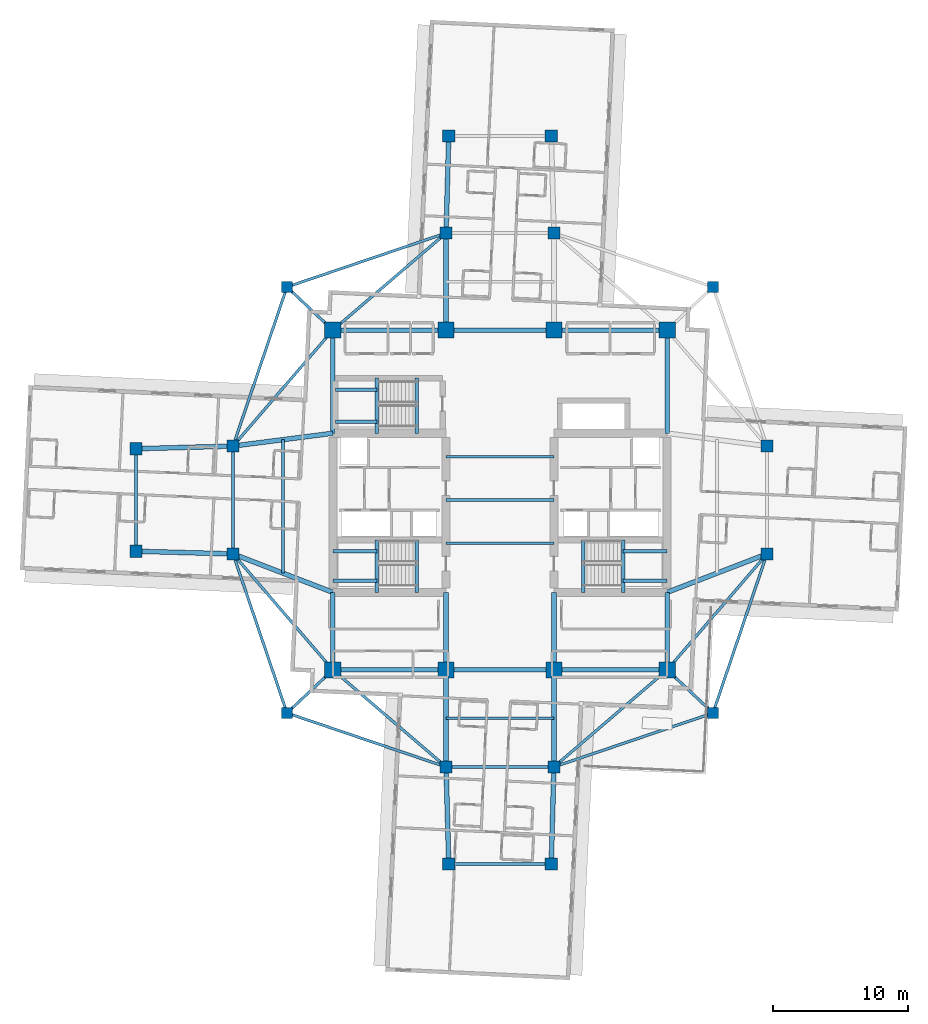
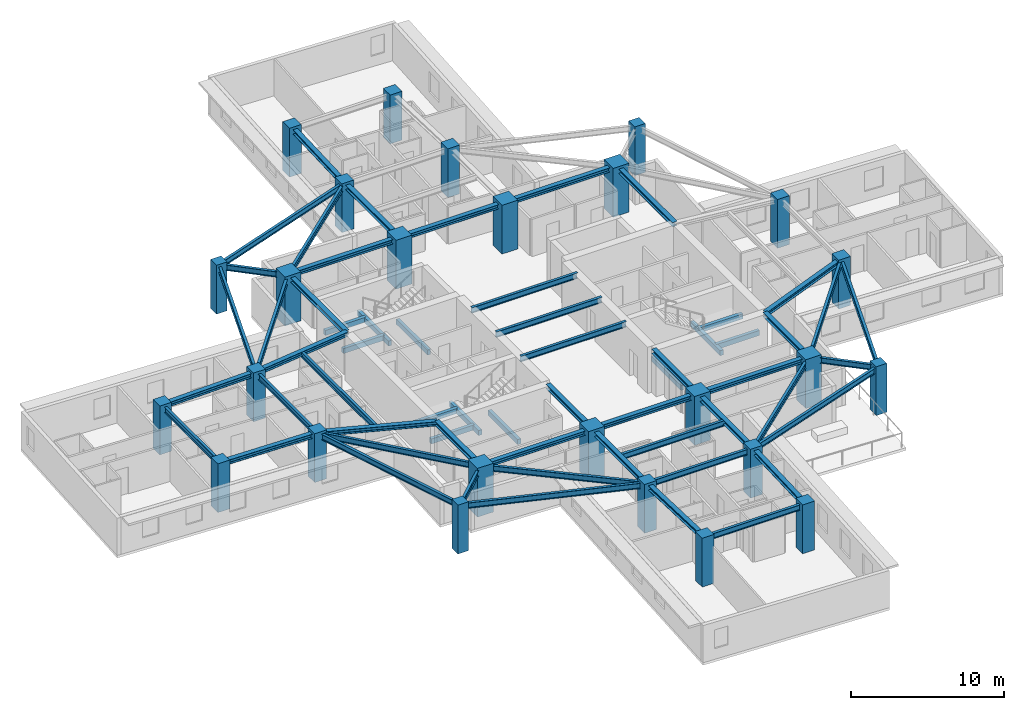
# One storey, part 1 of 14: 59 beams, 26 columns.
"""IFC4 building model written with IfcOpenShell, lengths in metres."""

from ifc_helpers import new_model, si_unit, direction, frame, origin, origin_2d, place, context, subcontext, project, spatial, rectangle, i_section, extrude, material, material_profile, profile_set, type_object, element, save


model = new_model("IFC4")

# Units and contexts
model_context = context("Model", 3, precision=1e-05, world=origin(), true_north=direction((0.0, 1.0)))
body_context = subcontext(model_context, "Body", "Model", "MODEL_VIEW")
ifc_project = project(units=[si_unit("LENGTHUNIT", "METRE"), si_unit("AREAUNIT", "SQUARE_METRE"), si_unit("VOLUMEUNIT", "CUBIC_METRE"), si_unit("PLANEANGLEUNIT", "RADIAN"), si_unit("MASSUNIT", "GRAM", prefix="KILO")], contexts=[model_context])

# Site, building, storey
site_placement = place(None, origin())
site = spatial("IfcSite", under=ifc_project, at=site_placement, CompositionType="ELEMENT")
building_placement = place(site_placement, origin())
building = spatial("IfcBuilding", under=site, at=building_placement, Name="Qingluan Cross Belvedere", CompositionType="ELEMENT")
storey_placement = place(building_placement, frame((0.0, 0.0, 172.199951171875)))
storey = spatial("IfcBuildingStorey", under=building, at=storey_placement, Name="L43", CompositionType="ELEMENT", Elevation=172.199951171875)

# Columns
ifc_material_1 = material(Name="Concrete C60", Category="concrete")
ifc_material_profile_1 = material_profile(ifc_material_1, rectangle(XDim=1.199951171875, YDim=1.199951171875, at=origin_2d()), Name="RC1200x1200")
ifc_profile_set_1 = profile_set([ifc_material_profile_1], Name="Concrete C60")
column_type_1 = type_object("IfcColumnType", Name="Column_RC1200x1200", PredefinedType="COLUMN", material=ifc_profile_set_1)
for number, where, z_axis, x_axis, name in (
    (1, (-12.39990234375, -12.60009765625, 0.0), (0.0, 0.0, 1.0), (1.0, 0.0, 0.0), "Hub column L43-HC1"),
    (2, (12.39990234375, -12.60009765625, 0.0), (0.0, 0.0, 1.0), (1.0, 0.0, 0.0), "Hub column L43-HC2"),
    (3, (12.39990234375, 12.60009765625, 0.0), (0.0, 0.0, 1.0), (1.0, 0.0, 0.0), "Hub column L43-HC3"),
    (4, (-12.39990234375, 12.60009765625, 0.0), (0.0, 0.0, 1.0), (1.0, 0.0, 0.0), "Hub column L43-HC4"),
    (5, (-4.0, -12.60009765625, 0.0), (0.0, 0.0, 1.0), (1.0, 0.0, 0.0), "Hub column L43-HC5"),
    (6, (4.0, -12.60009765625, 0.0), (0.0, 0.0, 1.0), (1.0, 0.0, 0.0), "Hub column L43-HC6"),
    (7, (4.0, 12.60009765625, 0.0), (0.0, 0.0, 1.0), (1.0, 0.0, 0.0), "Hub column L43-HC7"),
    (8, (-4.0, 12.60009765625, 0.0), (0.0, 0.0, 1.0), (1.0, 0.0, 0.0), "Hub column L43-HC8"),
):
    element("IfcColumn", number, at=place(storey_placement, frame(where, z_axis=z_axis, x_axis=x_axis)), inside=storey, type_object=column_type_1, Name=name, PredefinedType="COLUMN", context=body_context, shape_type="SweptSolid", body=[
        extrude(rectangle(XDim=1.199951171875, YDim=1.199951171875, at=origin_2d()), origin(), (0.0, 0.0, 1.0), 3.900146484375),
    ])
ifc_material_2 = material(Name="Concrete C50", Category="concrete")
ifc_material_profile_2 = material_profile(ifc_material_2, rectangle(XDim=0.800048828125, YDim=0.800048828125, at=origin_2d()), Name="RC800x800")
ifc_profile_set_2 = profile_set([ifc_material_profile_2], Name="Concrete C50")
column_type_2 = type_object("IfcColumnType", Name="Column_RC800x800", PredefinedType="COLUMN", material=ifc_profile_set_2)
for number, where, z_axis, x_axis, name in (
    (9, (15.800048828125, 15.800048828125, 0.0), (0.0, 0.0, 1.0), (1.0, 0.0, 0.0), "Corner column L43-RNE"),
    (10, (-15.800048828125, 15.800048828125, 0.0), (0.0, 0.0, 1.0), (1.0, 0.0, 0.0), "Corner column L43-RNW"),
    (11, (-15.800048828125, -15.800048828125, 0.0), (0.0, 0.0, 1.0), (1.0, 0.0, 0.0), "Corner column L43-RSW"),
    (12, (15.800048828125, -15.800048828125, 0.0), (0.0, 0.0, 1.0), (1.0, 0.0, 0.0), "Corner column L43-RSE"),
):
    element("IfcColumn", number, at=place(storey_placement, frame(where, z_axis=z_axis, x_axis=x_axis)), inside=storey, type_object=column_type_2, Name=name, PredefinedType="COLUMN", context=body_context, shape_type="SweptSolid", body=[
        extrude(rectangle(XDim=0.800048828125, YDim=0.800048828125, at=origin_2d()), origin(), (0.0, 0.0, 1.0), 3.900146484375),
    ])
ifc_material_3 = material(Name="Concrete C50", Category="concrete")
ifc_material_profile_3 = material_profile(ifc_material_3, rectangle(XDim=0.89990234375, YDim=0.89990234375, at=origin_2d()), Name="RC900x900")
ifc_profile_set_3 = profile_set([ifc_material_profile_3], Name="Concrete C50")
column_type_3 = type_object("IfcColumnType", Name="Column_RC900x900", PredefinedType="COLUMN", material=ifc_profile_set_3)
for number, where, z_axis, x_axis, name in (
    (13, (19.800048828125, -4.0, 0.0), (0.0, 0.0, 1.0), (1.0, 0.0, 0.0), "Arm column L43-EIA"),
    (14, (19.800048828125, 4.0, 0.0), (0.0, 0.0, 1.0), (1.0, 0.0, 0.0), "Arm column L43-EIB"),
    (15, (-19.800048828125, -4.0, 0.0), (0.0, 0.0, 1.0), (1.0, 0.0, 0.0), "Arm column L43-WIA"),
    (16, (-19.800048828125, 4.0, 0.0), (0.0, 0.0, 1.0), (1.0, 0.0, 0.0), "Arm column L43-WIB"),
    (17, (-4.0, -19.800048828125, 0.0), (0.0, 0.0, 1.0), (1.0, 0.0, 0.0), "Arm column L43-SIA"),
    (18, (4.0, -19.800048828125, 0.0), (0.0, 0.0, 1.0), (1.0, 0.0, 0.0), "Arm column L43-SIB"),
    (19, (-4.0, 19.800048828125, 0.0), (0.0, 0.0, 1.0), (1.0, 0.0, 0.0), "Arm column L43-NIA"),
    (20, (4.0, 19.800048828125, 0.0), (0.0, 0.0, 1.0), (1.0, 0.0, 0.0), "Arm column L43-NIB"),
    (21, (-27.0, -3.800048828125, 0.0), (0.0, 0.0, 1.0), (1.0, 0.0, 0.0), "Arm column L43-WOA"),
    (22, (-27.0, 3.800048828125, 0.0), (0.0, 0.0, 1.0), (1.0, 0.0, 0.0), "Arm column L43-WOB"),
    (23, (-3.800048828125, -27.0, 0.0), (0.0, 0.0, 1.0), (1.0, 0.0, 0.0), "Arm column L43-SOA"),
    (24, (3.800048828125, -27.0, 0.0), (0.0, 0.0, 1.0), (1.0, 0.0, 0.0), "Arm column L43-SOB"),
    (25, (-3.800048828125, 27.0, 0.0), (0.0, 0.0, 1.0), (1.0, 0.0, 0.0), "Arm column L43-NOA"),
    (26, (3.800048828125, 27.0, 0.0), (0.0, 0.0, 1.0), (1.0, 0.0, 0.0), "Arm column L43-NOB"),
):
    element("IfcColumn", number, at=place(storey_placement, frame(where, z_axis=z_axis, x_axis=x_axis)), inside=storey, type_object=column_type_3, Name=name, PredefinedType="COLUMN", context=body_context, shape_type="SweptSolid", body=[
        extrude(rectangle(XDim=0.89990234375, YDim=0.89990234375, at=origin_2d()), origin(), (0.0, 0.0, 1.0), 3.900146484375),
    ])

# Beams
ifc_material_4 = material(Name="Concrete C45", Category="concrete")
ifc_material_profile_4 = material_profile(ifc_material_4, rectangle(XDim=0.25, YDim=0.39990234375, at=origin_2d()), Name="RC250x400")
ifc_profile_set_4 = profile_set([ifc_material_profile_4], Name="Concrete C45")
beam_type_1 = type_object("IfcBeamType", Name="RC_Lintel_RC250x400", PredefinedType="LINTEL", material=ifc_profile_set_4)
for number, where, z_axis, x_axis, name in (
    (27, (-6.179931640625, -6.85009765625, -0.199951171875), (0.0, 1.0, 0.0), (-1.0, 0.0, 0.0), "Stair ST1 landing beam L43"),
    (28, (6.179931640625, -6.85009765625, -0.199951171875), (0.0, 1.0, 0.0), (-1.0, 0.0, 0.0), "Stair ST2 landing beam L43"),
):
    element("IfcBeam", number, at=place(storey_placement, frame(where, z_axis=z_axis, x_axis=x_axis)), inside=storey, type_object=beam_type_1, Name=name, PredefinedType="LINTEL", context=body_context, shape_type="SweptSolid", body=[
        extrude(rectangle(XDim=0.25, YDim=0.39990234375, at=origin_2d()), origin(), (0.0, 0.0, 1.0), 3.89013671875),
    ])
beam_1_placement = place(storey_placement, frame((-6.179931640625, 4.949951171875, -0.199951171875), z_axis=(0.0, 1.0, 0.0), x_axis=(-1.0, 0.0, 0.0)))
element("IfcBeam", 29, at=beam_1_placement, inside=storey, type_object=beam_type_1, Name="Stair ST3 landing beam L43", PredefinedType="LINTEL", context=body_context, shape_type="SweptSolid", body=[
    extrude(rectangle(XDim=0.25, YDim=0.39990234375, at=origin_2d()), origin(), (0.0, 0.0, 1.0), 4.090087890625),
])
beam_2_placement = place(storey_placement, frame((-9.1298828125, -6.85009765625, 1.550048828125), z_axis=(0.0, 1.0, 0.0), x_axis=(-1.0, 0.0, 0.0)))
element("IfcBeam", 30, at=beam_2_placement, inside=storey, type_object=beam_type_1, Name="Stair ST1 beam A L43", PredefinedType="LINTEL", context=body_context, shape_type="SweptSolid", body=[
    extrude(rectangle(XDim=0.25, YDim=0.39990234375, at=origin_2d()), origin(), (0.0, 0.0, 1.0), 3.89013671875),
])
for number, where, z_axis, x_axis, name in (
    (31, (-12.39990234375, -6.0, 1.550048828125), (1.0, 0.0, 0.0), (0.0, 1.0, 0.0), "Stair ST1 beam B L43"),
    (32, (-12.39990234375, -3.81005859375, 1.550048828125), (1.0, 0.0, 0.0), (0.0, 1.0, 0.0), "Stair ST1 beam C L43"),
):
    element("IfcBeam", number, at=place(storey_placement, frame(where, z_axis=z_axis, x_axis=x_axis)), inside=storey, type_object=beam_type_1, Name=name, PredefinedType="LINTEL", context=body_context, shape_type="SweptSolid", body=[
        extrude(rectangle(XDim=0.25, YDim=0.39990234375, at=origin_2d()), origin(), (0.0, 0.0, 1.0), 3.27001953125),
    ])
beam_3_placement = place(storey_placement, frame((9.1298828125, -6.85009765625, 1.550048828125), z_axis=(0.0, 1.0, 0.0), x_axis=(-1.0, 0.0, 0.0)))
element("IfcBeam", 33, at=beam_3_placement, inside=storey, type_object=beam_type_1, Name="Stair ST2 beam A L43", PredefinedType="LINTEL", context=body_context, shape_type="SweptSolid", body=[
    extrude(rectangle(XDim=0.25, YDim=0.39990234375, at=origin_2d()), origin(), (0.0, 0.0, 1.0), 3.89013671875),
])
for number, where, z_axis, x_axis, name in (
    (34, (12.39990234375, -6.0, 1.550048828125), (-1.0, 0.0, 0.0), (0.0, -1.0, 0.0), "Stair ST2 beam B L43"),
    (35, (12.39990234375, -3.81005859375, 1.550048828125), (-1.0, 0.0, 0.0), (0.0, -1.0, 0.0), "Stair ST2 beam C L43"),
):
    element("IfcBeam", number, at=place(storey_placement, frame(where, z_axis=z_axis, x_axis=x_axis)), inside=storey, type_object=beam_type_1, Name=name, PredefinedType="LINTEL", context=body_context, shape_type="SweptSolid", body=[
        extrude(rectangle(XDim=0.25, YDim=0.39990234375, at=origin_2d()), origin(), (0.0, 0.0, 1.0), 3.27001953125),
    ])
beam_4_placement = place(storey_placement, frame((-9.1298828125, 4.949951171875, 1.550048828125), z_axis=(0.0, 1.0, 0.0), x_axis=(-1.0, 0.0, 0.0)))
element("IfcBeam", 36, at=beam_4_placement, inside=storey, type_object=beam_type_1, Name="Stair ST3 beam A L43", PredefinedType="LINTEL", context=body_context, shape_type="SweptSolid", body=[
    extrude(rectangle(XDim=0.25, YDim=0.39990234375, at=origin_2d()), origin(), (0.0, 0.0, 1.0), 4.090087890625),
])
for number, where, z_axis, x_axis, name in (
    (37, (-12.219970703125, 5.800048828125, 1.550048828125), (1.0, 0.0, 0.0), (0.0, 1.0, 0.0), "Stair ST3 beam B L43"),
    (38, (-12.219970703125, 8.18994140625, 1.550048828125), (1.0, 0.0, 0.0), (0.0, 1.0, 0.0), "Stair ST3 beam C L43"),
):
    element("IfcBeam", number, at=place(storey_placement, frame(where, z_axis=z_axis, x_axis=x_axis)), inside=storey, type_object=beam_type_1, Name=name, PredefinedType="LINTEL", context=body_context, shape_type="SweptSolid", body=[
        extrude(rectangle(XDim=0.25, YDim=0.39990234375, at=origin_2d()), origin(), (0.0, 0.0, 1.0), 3.090087890625),
    ])
ifc_material_5 = material(Name="Steel Q420GJB", Category="steel")
ifc_material_profile_5 = material_profile(ifc_material_5, i_section(OverallWidth=0.199951171875, OverallDepth=0.449951171875, WebThickness=0.009033203125, FlangeThickness=0.013916015625, FilletRadius=0.01611328125, at=origin_2d()), Name="HN450x200x9x14")
ifc_profile_set_5 = profile_set([ifc_material_profile_5], Name="Steel Q420GJB")
beam_type_2 = type_object("IfcBeamType", Name="Steel_Beam_HN450x200x9x14", PredefinedType="JOIST", material=ifc_profile_set_5)
beam_5_placement = place(storey_placement, frame((-12.39990234375, 12.60009765625, 3.47509765625), z_axis=(-0.728219948308, 0.685343495546, 0.0), x_axis=(-0.685343495546, -0.728219948308, 0.0)))
element("IfcBeam", 39, at=beam_5_placement, inside=storey, type_object=beam_type_2, Name="Corner beam 1 L43-RNW", PredefinedType="JOIST", context=body_context, shape_type="SweptSolid", body=[
    extrude(i_section(OverallWidth=0.199951171875, OverallDepth=0.449951171875, WebThickness=0.009033203125, FlangeThickness=0.013916015625, FilletRadius=0.01611328125, at=origin_2d()), origin(), (0.0, 0.0, 1.0), 4.669189453125),
])
for number, where, z_axis, x_axis, name in (
    (40, (-15.800048828125, 15.800048828125, 3.47509765625), (0.947066283324, 0.321038089628, 0.0), (-0.321038089628, 0.947066283324, 0.0), "Corner beam 2 L43-RNW"),
    (41, (-15.800048828125, 15.800048828125, 3.47509765625), (-0.321038089628, -0.947066283324, 0.0), (0.947066283324, -0.321038089628, 0.0), "Corner beam 3 L43-RNW"),
):
    element("IfcBeam", number, at=place(storey_placement, frame(where, z_axis=z_axis, x_axis=x_axis)), inside=storey, type_object=beam_type_2, Name=name, PredefinedType="JOIST", context=body_context, shape_type="SweptSolid", body=[
        extrude(i_section(OverallWidth=0.199951171875, OverallDepth=0.449951171875, WebThickness=0.009033203125, FlangeThickness=0.013916015625, FilletRadius=0.01611328125, at=origin_2d()), origin(), (0.0, 0.0, 1.0), 12.45947265625),
    ])
beam_6_placement = place(storey_placement, frame((-12.39990234375, 12.60009765625, 3.47509765625), z_axis=(-0.652245077546, -0.75800815221, 0.0), x_axis=(0.75800815221, -0.652245077546, 0.0)))
element("IfcBeam", 42, at=beam_6_placement, inside=storey, type_object=beam_type_2, Name="Corner beam 4 L43-RNW", PredefinedType="JOIST", context=body_context, shape_type="SweptSolid", body=[
    extrude(i_section(OverallWidth=0.199951171875, OverallDepth=0.449951171875, WebThickness=0.009033203125, FlangeThickness=0.013916015625, FilletRadius=0.01611328125, at=origin_2d()), origin(), (0.0, 0.0, 1.0), 11.345703125),
])
beam_7_placement = place(storey_placement, frame((-12.39990234375, 12.60009765625, 3.47509765625), z_axis=(0.759255044656, 0.650793190779, 0.0), x_axis=(-0.650793190779, 0.759255044656, 0.0)))
element("IfcBeam", 43, at=beam_7_placement, inside=storey, type_object=beam_type_2, Name="Corner beam 5 L43-RNW", PredefinedType="JOIST", context=body_context, shape_type="SweptSolid", body=[
    extrude(i_section(OverallWidth=0.199951171875, OverallDepth=0.449951171875, WebThickness=0.009033203125, FlangeThickness=0.013916015625, FilletRadius=0.01611328125, at=origin_2d()), origin(), (0.0, 0.0, 1.0), 11.063232421875),
])
beam_8_placement = place(storey_placement, frame((-12.39990234375, -12.60009765625, 3.47509765625), z_axis=(-0.728219948308, -0.685343495546, 0.0), x_axis=(0.685343495546, -0.728219948308, 0.0)))
element("IfcBeam", 44, at=beam_8_placement, inside=storey, type_object=beam_type_2, Name="Corner beam 1 L43-RSW", PredefinedType="JOIST", context=body_context, shape_type="SweptSolid", body=[
    extrude(i_section(OverallWidth=0.199951171875, OverallDepth=0.449951171875, WebThickness=0.009033203125, FlangeThickness=0.013916015625, FilletRadius=0.01611328125, at=origin_2d()), origin(), (0.0, 0.0, 1.0), 4.669189453125),
])
for number, where, z_axis, x_axis, name in (
    (45, (-15.800048828125, -15.800048828125, 3.47509765625), (0.947066283324, -0.321038089628, 0.0), (0.321038089628, 0.947066283324, 0.0), "Corner beam 2 L43-RSW"),
    (46, (-15.800048828125, -15.800048828125, 3.47509765625), (-0.321038089628, 0.947066283324, 0.0), (-0.947066283324, -0.321038089628, 0.0), "Corner beam 3 L43-RSW"),
):
    element("IfcBeam", number, at=place(storey_placement, frame(where, z_axis=z_axis, x_axis=x_axis)), inside=storey, type_object=beam_type_2, Name=name, PredefinedType="JOIST", context=body_context, shape_type="SweptSolid", body=[
        extrude(i_section(OverallWidth=0.199951171875, OverallDepth=0.449951171875, WebThickness=0.009033203125, FlangeThickness=0.013916015625, FilletRadius=0.01611328125, at=origin_2d()), origin(), (0.0, 0.0, 1.0), 12.45947265625),
    ])
beam_9_placement = place(storey_placement, frame((-12.39990234375, -12.60009765625, 3.47509765625), z_axis=(-0.652245077546, 0.75800815221, 0.0), x_axis=(-0.75800815221, -0.652245077546, 0.0)))
element("IfcBeam", 47, at=beam_9_placement, inside=storey, type_object=beam_type_2, Name="Corner beam 4 L43-RSW", PredefinedType="JOIST", context=body_context, shape_type="SweptSolid", body=[
    extrude(i_section(OverallWidth=0.199951171875, OverallDepth=0.449951171875, WebThickness=0.009033203125, FlangeThickness=0.013916015625, FilletRadius=0.01611328125, at=origin_2d()), origin(), (0.0, 0.0, 1.0), 11.345703125),
])
beam_10_placement = place(storey_placement, frame((-12.39990234375, -12.60009765625, 3.47509765625), z_axis=(0.759255044656, -0.650793190779, 0.0), x_axis=(0.650793190779, 0.759255044656, 0.0)))
element("IfcBeam", 48, at=beam_10_placement, inside=storey, type_object=beam_type_2, Name="Corner beam 5 L43-RSW", PredefinedType="JOIST", context=body_context, shape_type="SweptSolid", body=[
    extrude(i_section(OverallWidth=0.199951171875, OverallDepth=0.449951171875, WebThickness=0.009033203125, FlangeThickness=0.013916015625, FilletRadius=0.01611328125, at=origin_2d()), origin(), (0.0, 0.0, 1.0), 11.063232421875),
])
beam_11_placement = place(storey_placement, frame((12.39990234375, -12.60009765625, 3.455078125), z_axis=(0.728219948308, -0.685343495546, 0.0), x_axis=(0.685343495546, 0.728219948308, 0.0)))
element("IfcBeam", 49, at=beam_11_placement, inside=storey, type_object=beam_type_2, Name="Corner beam 1 L43-RSE", PredefinedType="JOIST", context=body_context, shape_type="SweptSolid", body=[
    extrude(i_section(OverallWidth=0.199951171875, OverallDepth=0.449951171875, WebThickness=0.009033203125, FlangeThickness=0.013916015625, FilletRadius=0.01611328125, at=origin_2d()), origin(), (0.0, 0.0, 1.0), 4.669189453125),
])
for number, where, z_axis, x_axis, name in (
    (50, (15.800048828125, -15.800048828125, 3.455078125), (-0.947066283324, -0.321038089628, 0.0), (0.321038089628, -0.947066283324, 0.0), "Corner beam 2 L43-RSE"),
    (51, (15.800048828125, -15.800048828125, 3.455078125), (0.321038089628, 0.947066283324, 0.0), (-0.947066283324, 0.321038089628, 0.0), "Corner beam 3 L43-RSE"),
):
    element("IfcBeam", number, at=place(storey_placement, frame(where, z_axis=z_axis, x_axis=x_axis)), inside=storey, type_object=beam_type_2, Name=name, PredefinedType="JOIST", context=body_context, shape_type="SweptSolid", body=[
        extrude(i_section(OverallWidth=0.199951171875, OverallDepth=0.449951171875, WebThickness=0.009033203125, FlangeThickness=0.013916015625, FilletRadius=0.01611328125, at=origin_2d()), origin(), (0.0, 0.0, 1.0), 12.45947265625),
    ])
beam_12_placement = place(storey_placement, frame((12.39990234375, -12.60009765625, 3.455078125), z_axis=(0.652245077546, 0.75800815221, 0.0), x_axis=(-0.75800815221, 0.652245077546, 0.0)))
element("IfcBeam", 52, at=beam_12_placement, inside=storey, type_object=beam_type_2, Name="Corner beam 4 L43-RSE", PredefinedType="JOIST", context=body_context, shape_type="SweptSolid", body=[
    extrude(i_section(OverallWidth=0.199951171875, OverallDepth=0.449951171875, WebThickness=0.009033203125, FlangeThickness=0.013916015625, FilletRadius=0.01611328125, at=origin_2d()), origin(), (0.0, 0.0, 1.0), 11.345703125),
])
beam_13_placement = place(storey_placement, frame((12.39990234375, -12.60009765625, 3.455078125), z_axis=(-0.759255044656, -0.650793190779, 0.0), x_axis=(0.650793190779, -0.759255044656, 0.0)))
element("IfcBeam", 53, at=beam_13_placement, inside=storey, type_object=beam_type_2, Name="Corner beam 5 L43-RSE", PredefinedType="JOIST", context=body_context, shape_type="SweptSolid", body=[
    extrude(i_section(OverallWidth=0.199951171875, OverallDepth=0.449951171875, WebThickness=0.009033203125, FlangeThickness=0.013916015625, FilletRadius=0.01611328125, at=origin_2d()), origin(), (0.0, 0.0, 1.0), 11.063232421875),
])
for number, where, z_axis, x_axis, name in (
    (54, (-4.0, -3.199951171875, 3.47509765625), (1.0, 0.0, 0.0), (0.0, 1.0, 0.0), "Hall beam L43-CH1"),
    (55, (-4.0, 0.0, 3.47509765625), (1.0, 0.0, 0.0), (0.0, 1.0, 0.0), "Hall beam L43-CH2"),
    (56, (-4.0, 3.199951171875, 3.47509765625), (1.0, 0.0, 0.0), (0.0, 1.0, 0.0), "Hall beam L43-CH3"),
    (57, (-19.800048828125, -4.0, 3.47509765625), (0.0, 1.0, 0.0), (-1.0, 0.0, 0.0), "Arm W tie L43"),
):
    element("IfcBeam", number, at=place(storey_placement, frame(where, z_axis=z_axis, x_axis=x_axis)), inside=storey, type_object=beam_type_2, Name=name, PredefinedType="JOIST", context=body_context, shape_type="SweptSolid", body=[
        extrude(i_section(OverallWidth=0.199951171875, OverallDepth=0.449951171875, WebThickness=0.009033203125, FlangeThickness=0.013916015625, FilletRadius=0.01611328125, at=origin_2d()), origin(), (0.0, 0.0, 1.0), 8.0),
    ])
beam_14_placement = place(storey_placement, frame((-16.10009765625, -5.425048828125, 3.47509765625), z_axis=(0.0, 1.0, 0.0), x_axis=(-1.0, 0.0, 0.0)))
element("IfcBeam", 58, at=beam_14_placement, inside=storey, type_object=beam_type_2, Name="Arm W beam L43", PredefinedType="JOIST", context=body_context, shape_type="SweptSolid", body=[
    extrude(i_section(OverallWidth=0.199951171875, OverallDepth=0.449951171875, WebThickness=0.009033203125, FlangeThickness=0.013916015625, FilletRadius=0.01611328125, at=origin_2d()), origin(), (0.0, 0.0, 1.0), 9.900146484375),
])
beam_15_placement = place(storey_placement, frame((-27.0, -3.800048828125, 3.47509765625), z_axis=(0.0, 1.0, 0.0), x_axis=(-1.0, 0.0, 0.0)))
element("IfcBeam", 59, at=beam_15_placement, inside=storey, type_object=beam_type_2, Name="Arm W tip transverse beam L43", PredefinedType="JOIST", context=body_context, shape_type="SweptSolid", body=[
    extrude(i_section(OverallWidth=0.199951171875, OverallDepth=0.449951171875, WebThickness=0.009033203125, FlangeThickness=0.013916015625, FilletRadius=0.01611328125, at=origin_2d()), origin(), (0.0, 0.0, 1.0), 7.60009765625),
])
for number, where, z_axis, x_axis, name in (
    (60, (-4.0, -19.800048828125, 3.47509765625), (1.0, 0.0, 0.0), (0.0, 1.0, 0.0), "Arm S tie L43"),
    (61, (-4.0, -16.199951171875, 3.47509765625), (1.0, 0.0, 0.0), (0.0, 1.0, 0.0), "Arm S beam L43"),
):
    element("IfcBeam", number, at=place(storey_placement, frame(where, z_axis=z_axis, x_axis=x_axis)), inside=storey, type_object=beam_type_2, Name=name, PredefinedType="JOIST", context=body_context, shape_type="SweptSolid", body=[
        extrude(i_section(OverallWidth=0.199951171875, OverallDepth=0.449951171875, WebThickness=0.009033203125, FlangeThickness=0.013916015625, FilletRadius=0.01611328125, at=origin_2d()), origin(), (0.0, 0.0, 1.0), 8.0),
    ])
beam_16_placement = place(storey_placement, frame((-3.800048828125, -27.0, 3.47509765625), z_axis=(1.0, 0.0, 0.0), x_axis=(0.0, 1.0, 0.0)))
element("IfcBeam", 62, at=beam_16_placement, inside=storey, type_object=beam_type_2, Name="Arm S tip transverse beam L43", PredefinedType="JOIST", context=body_context, shape_type="SweptSolid", body=[
    extrude(i_section(OverallWidth=0.199951171875, OverallDepth=0.449951171875, WebThickness=0.009033203125, FlangeThickness=0.013916015625, FilletRadius=0.01611328125, at=origin_2d()), origin(), (0.0, 0.0, 1.0), 7.60009765625),
])
ifc_material_6 = material(Name="Steel Q420GJB", Category="steel")
ifc_material_profile_6 = material_profile(ifc_material_6, i_section(OverallWidth=0.35009765625, OverallDepth=0.35009765625, WebThickness=0.011962890625, FlangeThickness=0.01904296875, FilletRadius=0.02001953125, at=origin_2d()), Name="HW350x350x12x19")
ifc_profile_set_6 = profile_set([ifc_material_profile_6], Name="Steel Q420GJB")
beam_type_3 = type_object("IfcBeamType", Name="Steel_Girder_HW350x350x12x19", PredefinedType="USERDEFINED", material=ifc_profile_set_6)
beam_17_placement = place(storey_placement, frame((-12.39990234375, -12.60009765625, 3.525146484375), z_axis=(1.0, 0.0, 0.0), x_axis=(0.0, 1.0, 0.0)))
element("IfcBeam", 63, at=beam_17_placement, inside=storey, type_object=beam_type_3, Name="Hub girder L43-HG-S1", ObjectType="GIRDER", PredefinedType="USERDEFINED", context=body_context, shape_type="SweptSolid", body=[
    extrude(i_section(OverallWidth=0.35009765625, OverallDepth=0.35009765625, WebThickness=0.011962890625, FlangeThickness=0.01904296875, FilletRadius=0.02001953125, at=origin_2d()), origin(), (0.0, 0.0, 1.0), 8.39990234375),
])
beam_18_placement = place(storey_placement, frame((-4.0, -12.60009765625, 3.525146484375), z_axis=(1.0, 0.0, 0.0), x_axis=(0.0, 1.0, 0.0)))
element("IfcBeam", 64, at=beam_18_placement, inside=storey, type_object=beam_type_3, Name="Hub girder L43-HG-S2", ObjectType="GIRDER", PredefinedType="USERDEFINED", context=body_context, shape_type="SweptSolid", body=[
    extrude(i_section(OverallWidth=0.35009765625, OverallDepth=0.35009765625, WebThickness=0.011962890625, FlangeThickness=0.01904296875, FilletRadius=0.02001953125, at=origin_2d()), origin(), (0.0, 0.0, 1.0), 8.0),
])
for number, where, z_axis, x_axis, name in (
    (65, (4.0, -12.60009765625, 3.525146484375), (1.0, 0.0, 0.0), (0.0, 1.0, 0.0), "Hub girder L43-HG-S3"),
    (66, (-12.39990234375, 12.60009765625, 3.525146484375), (1.0, 0.0, 0.0), (0.0, 1.0, 0.0), "Hub girder L43-HG-N1"),
):
    element("IfcBeam", number, at=place(storey_placement, frame(where, z_axis=z_axis, x_axis=x_axis)), inside=storey, type_object=beam_type_3, Name=name, ObjectType="GIRDER", PredefinedType="USERDEFINED", context=body_context, shape_type="SweptSolid", body=[
        extrude(i_section(OverallWidth=0.35009765625, OverallDepth=0.35009765625, WebThickness=0.011962890625, FlangeThickness=0.01904296875, FilletRadius=0.02001953125, at=origin_2d()), origin(), (0.0, 0.0, 1.0), 8.39990234375),
    ])
beam_19_placement = place(storey_placement, frame((-4.0, 12.60009765625, 3.525146484375), z_axis=(1.0, 0.0, 0.0), x_axis=(0.0, 1.0, 0.0)))
element("IfcBeam", 67, at=beam_19_placement, inside=storey, type_object=beam_type_3, Name="Hub girder L43-HG-N2", ObjectType="GIRDER", PredefinedType="USERDEFINED", context=body_context, shape_type="SweptSolid", body=[
    extrude(i_section(OverallWidth=0.35009765625, OverallDepth=0.35009765625, WebThickness=0.011962890625, FlangeThickness=0.01904296875, FilletRadius=0.02001953125, at=origin_2d()), origin(), (0.0, 0.0, 1.0), 8.0),
])
beam_20_placement = place(storey_placement, frame((4.0, 12.60009765625, 3.525146484375), z_axis=(1.0, 0.0, 0.0), x_axis=(0.0, 1.0, 0.0)))
element("IfcBeam", 68, at=beam_20_placement, inside=storey, type_object=beam_type_3, Name="Hub girder L43-HG-N3", ObjectType="GIRDER", PredefinedType="USERDEFINED", context=body_context, shape_type="SweptSolid", body=[
    extrude(i_section(OverallWidth=0.35009765625, OverallDepth=0.35009765625, WebThickness=0.011962890625, FlangeThickness=0.01904296875, FilletRadius=0.02001953125, at=origin_2d()), origin(), (0.0, 0.0, 1.0), 8.39990234375),
])
beam_21_placement = place(storey_placement, frame((-12.39990234375, -12.60009765625, 3.525146484375), z_axis=(0.0, 1.0, 0.0), x_axis=(-1.0, 0.0, 0.0)))
element("IfcBeam", 69, at=beam_21_placement, inside=storey, type_object=beam_type_3, Name="Hub girder L43-HG-W1", ObjectType="GIRDER", PredefinedType="USERDEFINED", context=body_context, shape_type="SweptSolid", body=[
    extrude(i_section(OverallWidth=0.35009765625, OverallDepth=0.35009765625, WebThickness=0.011962890625, FlangeThickness=0.01904296875, FilletRadius=0.02001953125, at=origin_2d()), origin(), (0.0, 0.0, 1.0), 5.75),
])
beam_22_placement = place(storey_placement, frame((-12.39990234375, 4.949951171875, 3.525146484375), z_axis=(0.0, 1.0, 0.0), x_axis=(-1.0, 0.0, 0.0)))
element("IfcBeam", 70, at=beam_22_placement, inside=storey, type_object=beam_type_3, Name="Hub girder L43-HG-W2", ObjectType="GIRDER", PredefinedType="USERDEFINED", context=body_context, shape_type="SweptSolid", body=[
    extrude(i_section(OverallWidth=0.35009765625, OverallDepth=0.35009765625, WebThickness=0.011962890625, FlangeThickness=0.01904296875, FilletRadius=0.02001953125, at=origin_2d()), origin(), (0.0, 0.0, 1.0), 7.650146484375),
])
beam_23_placement = place(storey_placement, frame((12.39990234375, -12.60009765625, 3.525146484375), z_axis=(0.0, 1.0, 0.0), x_axis=(-1.0, 0.0, 0.0)))
element("IfcBeam", 71, at=beam_23_placement, inside=storey, type_object=beam_type_3, Name="Hub girder L43-HG-E1", ObjectType="GIRDER", PredefinedType="USERDEFINED", context=body_context, shape_type="SweptSolid", body=[
    extrude(i_section(OverallWidth=0.35009765625, OverallDepth=0.35009765625, WebThickness=0.011962890625, FlangeThickness=0.01904296875, FilletRadius=0.02001953125, at=origin_2d()), origin(), (0.0, 0.0, 1.0), 5.75),
])
beam_24_placement = place(storey_placement, frame((12.39990234375, 4.949951171875, 3.525146484375), z_axis=(0.0, 1.0, 0.0), x_axis=(-1.0, 0.0, 0.0)))
element("IfcBeam", 72, at=beam_24_placement, inside=storey, type_object=beam_type_3, Name="Hub girder L43-HG-E2", ObjectType="GIRDER", PredefinedType="USERDEFINED", context=body_context, shape_type="SweptSolid", body=[
    extrude(i_section(OverallWidth=0.35009765625, OverallDepth=0.35009765625, WebThickness=0.011962890625, FlangeThickness=0.01904296875, FilletRadius=0.02001953125, at=origin_2d()), origin(), (0.0, 0.0, 1.0), 7.650146484375),
])
for number, where, z_axis, x_axis, name in (
    (73, (-4.0, -12.60009765625, 3.525146484375), (0.0, 1.0, 0.0), (-1.0, 0.0, 0.0), "Hub girder L43-HG-CW"),
    (74, (4.0, -12.60009765625, 3.525146484375), (0.0, 1.0, 0.0), (-1.0, 0.0, 0.0), "Hub girder L43-HG-CE"),
):
    element("IfcBeam", number, at=place(storey_placement, frame(where, z_axis=z_axis, x_axis=x_axis)), inside=storey, type_object=beam_type_3, Name=name, ObjectType="GIRDER", PredefinedType="USERDEFINED", context=body_context, shape_type="SweptSolid", body=[
        extrude(i_section(OverallWidth=0.35009765625, OverallDepth=0.35009765625, WebThickness=0.011962890625, FlangeThickness=0.01904296875, FilletRadius=0.02001953125, at=origin_2d()), origin(), (0.0, 0.0, 1.0), 5.75),
    ])
for number, where, z_axis, x_axis, name in (
    (75, (12.39990234375, -6.85009765625, 3.525146484375), (0.933181258889, 0.359406090735, 0.0), (-0.359406090735, 0.933181258889, 0.0), "Arm E radial girder A L43"),
    (76, (-12.39990234375, -6.85009765625, 3.525146484375), (-0.933181258889, 0.359406090735, 0.0), (-0.359406090735, -0.933181258889, 0.0), "Arm W radial girder A L43"),
):
    element("IfcBeam", number, at=place(storey_placement, frame(where, z_axis=z_axis, x_axis=x_axis)), inside=storey, type_object=beam_type_3, Name=name, ObjectType="GIRDER", PredefinedType="USERDEFINED", context=body_context, shape_type="SweptSolid", body=[
        extrude(i_section(OverallWidth=0.35009765625, OverallDepth=0.35009765625, WebThickness=0.011962890625, FlangeThickness=0.01904296875, FilletRadius=0.02001953125, at=origin_2d()), origin(), (0.0, 0.0, 1.0), 7.929931640625),
    ])
beam_25_placement = place(storey_placement, frame((-12.39990234375, 4.949951171875, 3.525146484375), z_axis=(-0.991861120628, -0.12732445714, 0.0), x_axis=(0.12732445714, -0.991861120628, 0.0)))
element("IfcBeam", 77, at=beam_25_placement, inside=storey, type_object=beam_type_3, Name="Arm W radial girder B L43", ObjectType="GIRDER", PredefinedType="USERDEFINED", context=body_context, shape_type="SweptSolid", body=[
    extrude(i_section(OverallWidth=0.35009765625, OverallDepth=0.35009765625, WebThickness=0.011962890625, FlangeThickness=0.01904296875, FilletRadius=0.02001953125, at=origin_2d()), origin(), (0.0, 0.0, 1.0), 7.4609375),
])
for number, where, z_axis, x_axis, name in (
    (78, (-19.800048828125, -4.0, 3.525146484375), (-0.999614603568, 0.027760481514, 0.0), (-0.027760481514, -0.999614603568, 0.0), "Arm W outer radial girder A L43"),
    (79, (-19.800048828125, 4.0, 3.525146484375), (-0.999614603568, -0.027760481514, 0.0), (0.027760481514, -0.999614603568, 0.0), "Arm W outer radial girder B L43"),
):
    element("IfcBeam", number, at=place(storey_placement, frame(where, z_axis=z_axis, x_axis=x_axis)), inside=storey, type_object=beam_type_3, Name=name, ObjectType="GIRDER", PredefinedType="USERDEFINED", context=body_context, shape_type="SweptSolid", body=[
        extrude(i_section(OverallWidth=0.35009765625, OverallDepth=0.35009765625, WebThickness=0.011962890625, FlangeThickness=0.01904296875, FilletRadius=0.02001953125, at=origin_2d()), origin(), (0.0, 0.0, 1.0), 7.20263671875),
    ])
beam_26_placement = place(storey_placement, frame((-4.0, 12.60009765625, 3.525146484375), z_axis=(0.0, 1.0, 0.0), x_axis=(-1.0, 0.0, 0.0)))
element("IfcBeam", 80, at=beam_26_placement, inside=storey, type_object=beam_type_3, Name="Arm N radial girder A L43", ObjectType="GIRDER", PredefinedType="USERDEFINED", context=body_context, shape_type="SweptSolid", body=[
    extrude(i_section(OverallWidth=0.35009765625, OverallDepth=0.35009765625, WebThickness=0.011962890625, FlangeThickness=0.01904296875, FilletRadius=0.02001953125, at=origin_2d()), origin(), (0.0, 0.0, 1.0), 7.199951171875),
])
beam_27_placement = place(storey_placement, frame((-4.0, 19.800048828125, 3.525146484375), z_axis=(0.027760481514, 0.999614603568, 0.0), x_axis=(-0.999614603568, 0.027760481514, 0.0)))
element("IfcBeam", 81, at=beam_27_placement, inside=storey, type_object=beam_type_3, Name="Arm N outer radial girder A L43", ObjectType="GIRDER", PredefinedType="USERDEFINED", context=body_context, shape_type="SweptSolid", body=[
    extrude(i_section(OverallWidth=0.35009765625, OverallDepth=0.35009765625, WebThickness=0.011962890625, FlangeThickness=0.01904296875, FilletRadius=0.02001953125, at=origin_2d()), origin(), (0.0, 0.0, 1.0), 7.20263671875),
])
for number, where, z_axis, x_axis, name in (
    (82, (-4.0, -12.60009765625, 3.525146484375), (0.0, -1.0, 0.0), (1.0, 0.0, 0.0), "Arm S radial girder A L43"),
    (83, (4.0, -12.60009765625, 3.525146484375), (0.0, -1.0, 0.0), (1.0, 0.0, 0.0), "Arm S radial girder B L43"),
):
    element("IfcBeam", number, at=place(storey_placement, frame(where, z_axis=z_axis, x_axis=x_axis)), inside=storey, type_object=beam_type_3, Name=name, ObjectType="GIRDER", PredefinedType="USERDEFINED", context=body_context, shape_type="SweptSolid", body=[
        extrude(i_section(OverallWidth=0.35009765625, OverallDepth=0.35009765625, WebThickness=0.011962890625, FlangeThickness=0.01904296875, FilletRadius=0.02001953125, at=origin_2d()), origin(), (0.0, 0.0, 1.0), 7.199951171875),
    ])
for number, where, z_axis, x_axis, name in (
    (84, (-4.0, -19.800048828125, 3.525146484375), (0.027760481514, -0.999614603568, 0.0), (0.999614603568, 0.027760481514, 0.0), "Arm S outer radial girder A L43"),
    (85, (4.0, -19.800048828125, 3.525146484375), (-0.027760481514, -0.999614603568, 0.0), (0.999614603568, -0.027760481514, 0.0), "Arm S outer radial girder B L43"),
):
    element("IfcBeam", number, at=place(storey_placement, frame(where, z_axis=z_axis, x_axis=x_axis)), inside=storey, type_object=beam_type_3, Name=name, ObjectType="GIRDER", PredefinedType="USERDEFINED", context=body_context, shape_type="SweptSolid", body=[
        extrude(i_section(OverallWidth=0.35009765625, OverallDepth=0.35009765625, WebThickness=0.011962890625, FlangeThickness=0.01904296875, FilletRadius=0.02001953125, at=origin_2d()), origin(), (0.0, 0.0, 1.0), 7.20263671875),
    ])

save(model, "model.ifc")
